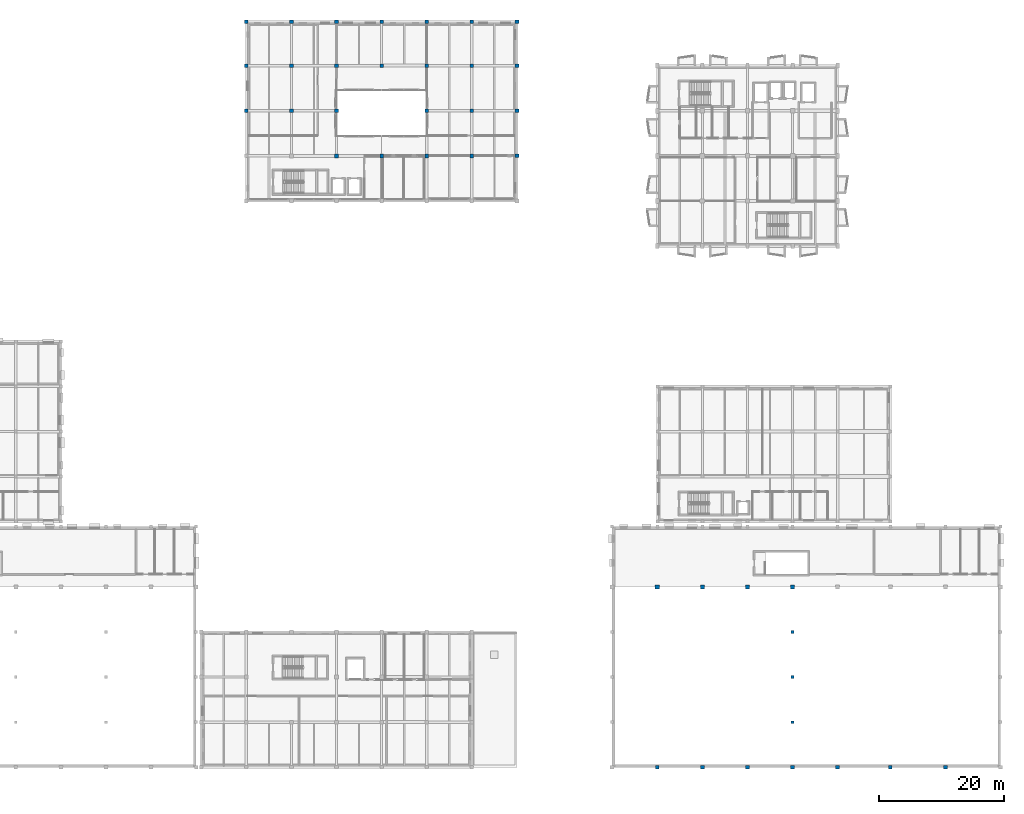
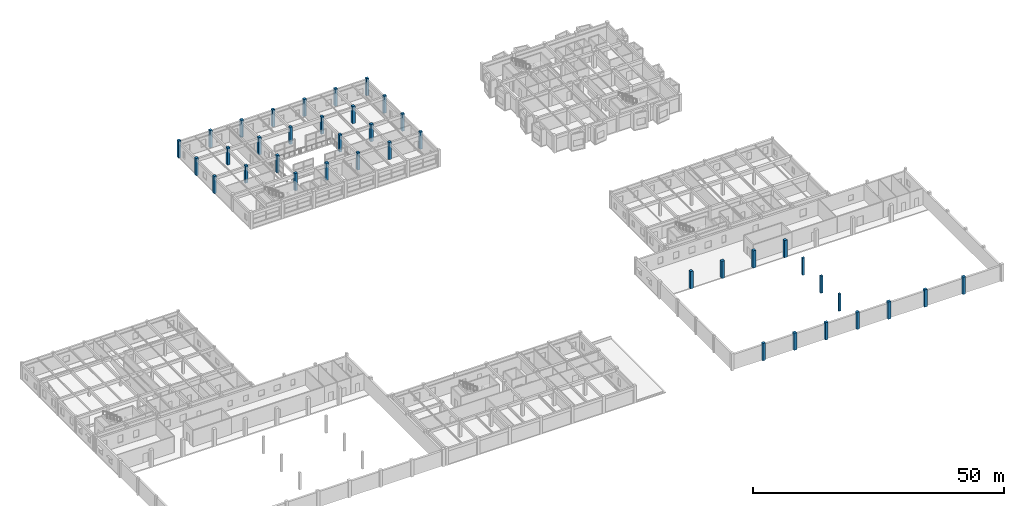
# One storey, part 2 of 49: 39 columns.
"""IFC4 building model written with IfcOpenShell, lengths in metres."""

from ifc_helpers import new_model, si_unit, direction, frame, origin, origin_2d, place, context, subcontext, project, spatial, rectangle, extrude, material, material_profile, profile_set, type_object, element, save


model = new_model("IFC4")

# Units and contexts
model_context = context("Model", 3, precision=1e-05, world=origin(), true_north=direction((0.0, 1.0)))
body_context = subcontext(model_context, "Body", "Model", "MODEL_VIEW")
ifc_project = project(units=[si_unit("LENGTHUNIT", "METRE"), si_unit("AREAUNIT", "SQUARE_METRE"), si_unit("VOLUMEUNIT", "CUBIC_METRE"), si_unit("PLANEANGLEUNIT", "RADIAN"), si_unit("MASSUNIT", "GRAM", prefix="KILO")], contexts=[model_context])

# Site, building, storey
site_placement = place(None, origin())
site = spatial("IfcSite", under=ifc_project, at=site_placement, CompositionType="ELEMENT")
building_placement = place(site_placement, origin())
building = spatial("IfcBuilding", under=site, at=building_placement, Name="Bramveld Media Centre", CompositionType="ELEMENT")
storey_placement = place(building_placement, frame((0.0, 0.0, 9.60009765625)))
storey = spatial("IfcBuildingStorey", under=building, at=storey_placement, Name="L02", CompositionType="ELEMENT", Elevation=9.60009765625)

# Columns
ifc_material_1 = material(Name="Concrete C40/50", Category="concrete")
ifc_material_profile_1 = material_profile(ifc_material_1, rectangle(XDim=0.580078125, YDim=0.580078125, at=origin_2d()), Name="RC 580x580")
ifc_profile_set_1 = profile_set([ifc_material_profile_1], Name="Concrete C40/50")
column_type_1 = type_object("IfcColumnType", Name="COL-EXT-RC-580x580", PredefinedType="COLUMN", material=ifc_profile_set_1)
for number, where, z_axis, x_axis, name in (
    (1, (65.60009765625, 104.800048828125, 0.0), (0.0, 0.0, 1.0), (1.0, 0.0, 0.0), "V6 L02 column RC 580x580"),
    (2, (65.60009765625, 112.0, 0.0), (0.0, 0.0, 1.0), (1.0, 0.0, 0.0), "V6 L02 column RC 580x580"),
    (3, (65.60009765625, 119.0, 0.0), (0.0, 0.0, 1.0), (1.0, 0.0, 0.0), "V6 L02 column RC 580x580"),
    (4, (72.800048828125, 119.0, 0.0), (0.0, 0.0, 1.0), (1.0, 0.0, 0.0), "V6 L02 column RC 580x580"),
    (5, (80.0, 119.0, 0.0), (0.0, 0.0, 1.0), (1.0, 0.0, 0.0), "V6 L02 column RC 580x580"),
    (6, (87.199951171875, 119.0, 0.0), (0.0, 0.0, 1.0), (1.0, 0.0, 0.0), "V6 L02 column RC 580x580"),
    (7, (94.39990234375, 119.0, 0.0), (0.0, 0.0, 1.0), (1.0, 0.0, 0.0), "V6 L02 column RC 580x580"),
    (8, (101.60009765625, 119.0, 0.0), (0.0, 0.0, 1.0), (1.0, 0.0, 0.0), "V6 L02 column RC 580x580"),
    (9, (108.800048828125, 97.60009765625, 0.0), (0.0, 0.0, 1.0), (1.0, 0.0, 0.0), "V6 L02 column RC 580x580"),
    (10, (108.800048828125, 104.800048828125, 0.0), (0.0, 0.0, 1.0), (1.0, 0.0, 0.0), "V6 L02 column RC 580x580"),
    (11, (108.800048828125, 112.0, 0.0), (0.0, 0.0, 1.0), (1.0, 0.0, 0.0), "V6 L02 column RC 580x580"),
    (12, (108.800048828125, 119.0, 0.0), (0.0, 0.0, 1.0), (1.0, 0.0, 0.0), "V6 L02 column RC 580x580"),
):
    element("IfcColumn", number, at=place(storey_placement, frame(where, z_axis=z_axis, x_axis=x_axis)), inside=storey, type_object=column_type_1, Name=name, PredefinedType="COLUMN", context=body_context, shape_type="SweptSolid", body=[
        extrude(rectangle(XDim=0.580078125, YDim=0.580078125, at=origin_2d()), origin(), (0.0, 0.0, 1.0), 4.199951171875),
    ])
ifc_material_2 = material(Name="Concrete C40/50", Category="concrete")
ifc_material_profile_2 = material_profile(ifc_material_2, rectangle(XDim=0.6201171875, YDim=0.6201171875, at=origin_2d()), Name="RC 620x620")
ifc_profile_set_2 = profile_set([ifc_material_profile_2], Name="Concrete C40/50")
column_type_2 = type_object("IfcColumnType", Name="COL-EXT-RC-620x620", PredefinedType="COLUMN", material=ifc_profile_set_2)
for number, where, z_axis, x_axis, name in (
    (13, (131.199951171875, 0.0, 0.0), (0.0, 0.0, 1.0), (1.0, 0.0, 0.0), "V1 L02 column RC 620x620"),
    (14, (138.39990234375, 0.0, 0.0), (0.0, 0.0, 1.0), (1.0, 0.0, 0.0), "V1 L02 column RC 620x620"),
    (15, (145.60009765625, 0.0, 0.0), (0.0, 0.0, 1.0), (1.0, 0.0, 0.0), "V1 L02 column RC 620x620"),
    (16, (152.800048828125, 0.0, 0.0), (0.0, 0.0, 1.0), (1.0, 0.0, 0.0), "V1 L02 column RC 620x620"),
    (17, (160.0, 0.0, 0.0), (0.0, 0.0, 1.0), (1.0, 0.0, 0.0), "V1 L02 column RC 620x620"),
    (18, (168.39990234375, 0.0, 0.0), (0.0, 0.0, 1.0), (1.0, 0.0, 0.0), "V1 L02 column RC 620x620"),
    (19, (177.199951171875, 0.0, 0.0), (0.0, 0.0, 1.0), (1.0, 0.0, 0.0), "V1 L02 column RC 620x620"),
):
    element("IfcColumn", number, at=place(storey_placement, frame(where, z_axis=z_axis, x_axis=x_axis)), inside=storey, type_object=column_type_2, Name=name, PredefinedType="COLUMN", context=body_context, shape_type="SweptSolid", body=[
        extrude(rectangle(XDim=0.6201171875, YDim=0.6201171875, at=origin_2d()), origin(), (0.0, 0.0, 1.0), 4.199951171875),
    ])
ifc_material_3 = material(Name="Concrete C40/50", Category="concrete")
ifc_material_profile_3 = material_profile(ifc_material_3, rectangle(XDim=0.449951171875, YDim=0.449951171875, at=origin_2d()), Name="RC 450x450")
ifc_profile_set_3 = profile_set([ifc_material_profile_3], Name="Concrete C40/50")
column_type_3 = type_object("IfcColumnType", Name="COL-INT-RC-450x450", PredefinedType="COLUMN", material=ifc_profile_set_3)
for number, where, z_axis, x_axis, name in (
    (20, (152.800048828125, 7.199951171875, 0.0), (0.0, 0.0, 1.0), (1.0, 0.0, 0.0), "V1 L02 column RC 450x450"),
    (21, (152.800048828125, 14.39990234375, 0.0), (0.0, 0.0, 1.0), (1.0, 0.0, 0.0), "V1 L02 column RC 450x450"),
    (22, (152.800048828125, 21.60009765625, 0.0), (0.0, 0.0, 1.0), (1.0, 0.0, 0.0), "V1 L02 column RC 450x450"),
):
    element("IfcColumn", number, at=place(storey_placement, frame(where, z_axis=z_axis, x_axis=x_axis)), inside=storey, type_object=column_type_3, Name=name, PredefinedType="COLUMN", context=body_context, shape_type="SweptSolid", body=[
        extrude(rectangle(XDim=0.449951171875, YDim=0.449951171875, at=origin_2d()), origin(), (0.0, 0.0, 1.0), 4.199951171875),
    ])
ifc_material_4 = material(Name="Concrete C40/50", Category="concrete")
ifc_material_profile_4 = material_profile(ifc_material_4, rectangle(XDim=0.60009765625, YDim=0.60009765625, at=origin_2d()), Name="RC 600x600")
ifc_profile_set_4 = profile_set([ifc_material_profile_4], Name="Concrete C40/50")
column_type_4 = type_object("IfcColumnType", Name="COL-INT-RC-600x600", PredefinedType="COLUMN", material=ifc_profile_set_4)
for number, where, z_axis, x_axis, name in (
    (23, (72.800048828125, 104.800048828125, 0.0), (0.0, 0.0, 1.0), (1.0, 0.0, 0.0), "V6 L02 column RC 600x600"),
    (24, (72.800048828125, 112.0, 0.0), (0.0, 0.0, 1.0), (1.0, 0.0, 0.0), "V6 L02 column RC 600x600"),
    (25, (80.0, 97.60009765625, 0.0), (0.0, 0.0, 1.0), (1.0, 0.0, 0.0), "V6 L02 column RC 600x600"),
    (26, (80.0, 104.800048828125, 0.0), (0.0, 0.0, 1.0), (1.0, 0.0, 0.0), "V6 L02 column RC 600x600"),
    (27, (80.0, 112.0, 0.0), (0.0, 0.0, 1.0), (1.0, 0.0, 0.0), "V6 L02 column RC 600x600"),
    (28, (87.199951171875, 97.60009765625, 0.0), (0.0, 0.0, 1.0), (1.0, 0.0, 0.0), "V6 L02 column RC 600x600"),
    (29, (87.199951171875, 112.0, 0.0), (0.0, 0.0, 1.0), (1.0, 0.0, 0.0), "V6 L02 column RC 600x600"),
    (30, (94.39990234375, 97.60009765625, 0.0), (0.0, 0.0, 1.0), (1.0, 0.0, 0.0), "V6 L02 column RC 600x600"),
    (31, (94.39990234375, 104.800048828125, 0.0), (0.0, 0.0, 1.0), (1.0, 0.0, 0.0), "V6 L02 column RC 600x600"),
    (32, (94.39990234375, 112.0, 0.0), (0.0, 0.0, 1.0), (1.0, 0.0, 0.0), "V6 L02 column RC 600x600"),
    (33, (101.60009765625, 97.60009765625, 0.0), (0.0, 0.0, 1.0), (1.0, 0.0, 0.0), "V6 L02 column RC 600x600"),
    (34, (101.60009765625, 104.800048828125, 0.0), (0.0, 0.0, 1.0), (1.0, 0.0, 0.0), "V6 L02 column RC 600x600"),
    (35, (101.60009765625, 112.0, 0.0), (0.0, 0.0, 1.0), (1.0, 0.0, 0.0), "V6 L02 column RC 600x600"),
):
    element("IfcColumn", number, at=place(storey_placement, frame(where, z_axis=z_axis, x_axis=x_axis)), inside=storey, type_object=column_type_4, Name=name, PredefinedType="COLUMN", context=body_context, shape_type="SweptSolid", body=[
        extrude(rectangle(XDim=0.60009765625, YDim=0.60009765625, at=origin_2d()), origin(), (0.0, 0.0, 1.0), 4.199951171875),
    ])
ifc_material_5 = material(Name="Concrete C40/50", Category="concrete")
ifc_material_profile_5 = material_profile(ifc_material_5, rectangle(XDim=0.64990234375, YDim=0.64990234375, at=origin_2d()), Name="RC 650x650")
ifc_profile_set_5 = profile_set([ifc_material_profile_5], Name="Concrete C40/50")
column_type_5 = type_object("IfcColumnType", Name="COL-INT-RC-650x650", PredefinedType="COLUMN", material=ifc_profile_set_5)
for number, where, z_axis, x_axis, name in (
    (36, (131.199951171875, 28.800048828125, 0.0), (0.0, 0.0, 1.0), (1.0, 0.0, 0.0), "V1 L02 column RC 650x650"),
    (37, (138.39990234375, 28.800048828125, 0.0), (0.0, 0.0, 1.0), (1.0, 0.0, 0.0), "V1 L02 column RC 650x650"),
    (38, (145.60009765625, 28.800048828125, 0.0), (0.0, 0.0, 1.0), (1.0, 0.0, 0.0), "V1 L02 column RC 650x650"),
    (39, (152.800048828125, 28.800048828125, 0.0), (0.0, 0.0, 1.0), (1.0, 0.0, 0.0), "V1 L02 column RC 650x650"),
):
    element("IfcColumn", number, at=place(storey_placement, frame(where, z_axis=z_axis, x_axis=x_axis)), inside=storey, type_object=column_type_5, Name=name, PredefinedType="COLUMN", context=body_context, shape_type="SweptSolid", body=[
        extrude(rectangle(XDim=0.64990234375, YDim=0.64990234375, at=origin_2d()), origin(), (0.0, 0.0, 1.0), 4.199951171875),
    ])

save(model, "model.ifc")
